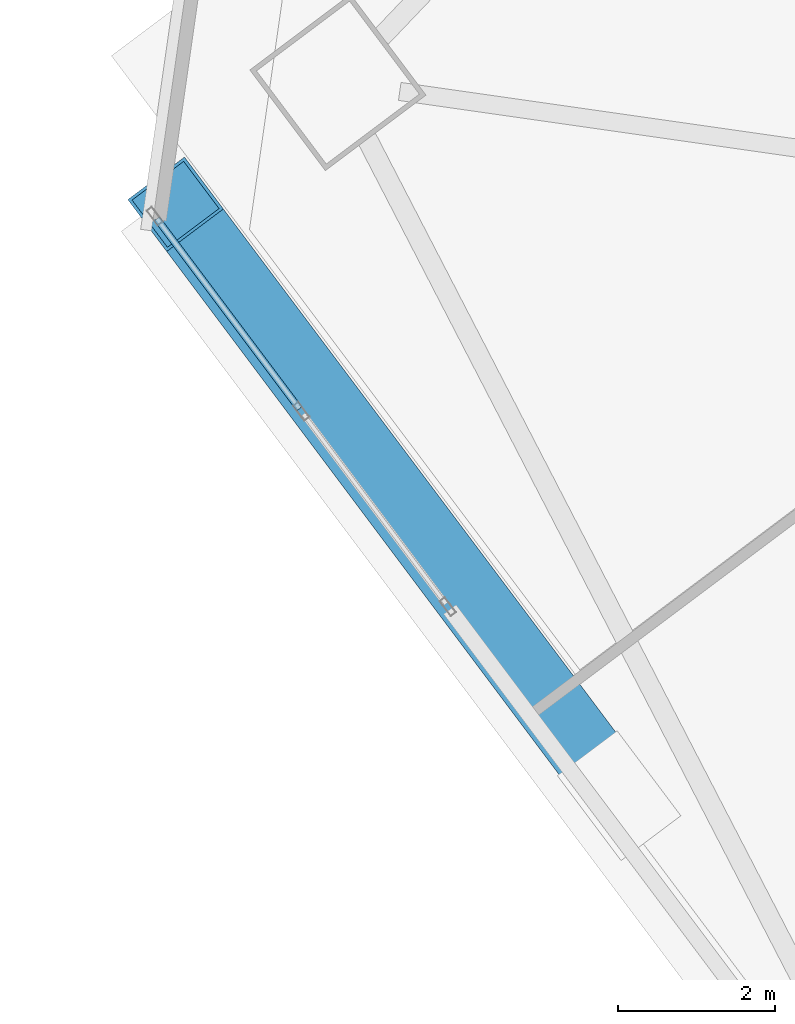
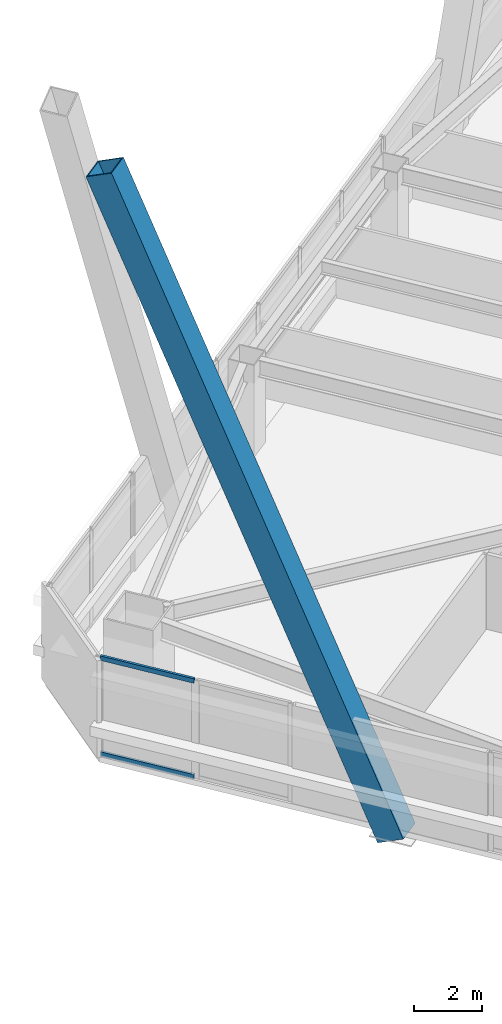
# One storey, part 37 of 75: 3 members, 1 element without a shape of its own.
"""IFC4 building model written with IfcOpenShell, lengths in metres."""

import ifcopenshell
import ifcopenshell.guid

model = None  # the IFC model being written
_history = None  # IfcOwnerHistory: only IFC2X3 demands one
_inside = {}  # id of a spatial element -> (the spatial element, [elements in it])
_under = {}  # id of a project, library or spatial element -> (it, [spatial elements below it])
_declared = {}  # id of a project -> (the project, [libraries it declares])
_typed = {}  # id of a type object -> (the type object, [elements of that type])
_made_of = {}  # id of a material, layer set ... -> (it, [elements and type objects made of it])


def new_model(schema):
    """Start an empty IFC model of exactly this schema.

    Asked for "IFC4X3", IfcOpenShell would pick the latest addendum, in which some entities
    have other attributes; the version numbers below select the first issue.
    IFC2X3 requires an IfcOwnerHistory on every rooted entity: one is made here for all.
    """
    global model, _history
    if schema == "IFC4X3":
        model = ifcopenshell.file(schema_version=(4, 3, 0, 0))
    else:
        model = ifcopenshell.file(schema=schema)
    _inside.clear()
    _under.clear()
    _declared.clear()
    _typed.clear()
    _made_of.clear()
    _history = None
    if model.schema == "IFC2X3":
        org = make("IfcOrganization", Name="unknown")
        user = make(
            "IfcPersonAndOrganization",
            ThePerson=make("IfcPerson", FamilyName="unknown"),
            TheOrganization=org,
        )
        app = make(
            "IfcApplication",
            ApplicationDeveloper=org,
            Version="unknown",
            ApplicationFullName="unknown",
            ApplicationIdentifier="unknown",
        )
        _history = make(
            "IfcOwnerHistory",
            OwningUser=user,
            OwningApplication=app,
            ChangeAction="ADDED",
            CreationDate=0,
        )
    return model


def make(cls, **values):
    """One entity of the class cls with the attributes given. An attribute that is None is left unset."""
    return model.create_entity(
        cls, **{name: value for name, value in values.items() if value is not None}
    )


def rooted(cls, **values):
    """An entity with a GlobalId (a new one), such as an element, a storey or a relation."""
    return make(cls, GlobalId=ifcopenshell.guid.new(), OwnerHistory=_history, **values)


def si_unit(unit_type, name, prefix=None):
    """IfcSIUnit, for example si_unit("LENGTHUNIT", "METRE", prefix="MILLI")."""
    return make("IfcSIUnit", UnitType=unit_type, Prefix=prefix, Name=name)


def assignment(units):
    """IfcUnitAssignment: the units of a project."""
    return None if units is None else make("IfcUnitAssignment", Units=units)


def point(xyz):
    """IfcCartesianPoint."""
    return None if xyz is None else make("IfcCartesianPoint", Coordinates=xyz)


def direction(xyz):
    """IfcDirection."""
    return None if xyz is None else make("IfcDirection", DirectionRatios=xyz)


def frame(location, z_axis=None, x_axis=None):
    """IfcAxis2Placement3D, a coordinate frame: its origin and axes. An axis left out is left unset."""
    return make(
        "IfcAxis2Placement3D",
        Location=point(location),
        Axis=direction(z_axis),
        RefDirection=direction(x_axis),
    )


def frame_2d(location, x_axis=None):
    """IfcAxis2Placement2D, a coordinate frame in the plane: its origin and x axis."""
    return make(
        "IfcAxis2Placement2D", Location=point(location), RefDirection=direction(x_axis)
    )


def origin():
    """The frame at (0, 0, 0) with its axes left unset."""
    return frame((0.0, 0.0, 0.0))


def origin_2d():
    """The frame at (0, 0) in the plane with its x axis left unset."""
    return frame_2d((0.0, 0.0))


def place(relative_to, where):
    """IfcLocalPlacement: puts the frame where relative to a parent placement (None: the world)."""
    return make(
        "IfcLocalPlacement", PlacementRelTo=relative_to, RelativePlacement=where
    )


def context(
    kind, dimensions, precision=None, world=None, true_north=None, identifier=None
):
    """IfcGeometricRepresentationContext, for example the 3D "Model" context."""
    return make(
        "IfcGeometricRepresentationContext",
        ContextIdentifier=identifier,
        ContextType=kind,
        CoordinateSpaceDimension=dimensions,
        Precision=precision,
        WorldCoordinateSystem=world,
        TrueNorth=true_north,
    )


def subcontext(parent, identifier, kind, view, scale=None):
    """IfcGeometricRepresentationSubContext, for example "Body" below "Model"."""
    return make(
        "IfcGeometricRepresentationSubContext",
        ContextIdentifier=identifier,
        ContextType=kind,
        ParentContext=parent,
        TargetScale=scale,
        TargetView=view,
    )


def project(units=None, contexts=None):
    """IfcProject with its units and contexts."""
    return rooted(
        "IfcProject",
        Name="project",
        RepresentationContexts=contexts,
        UnitsInContext=assignment(units),
    )


def spatial(cls, under=None, at=None, **own):
    """A site, building, storey or space (cls), placed at a placement, below another one or the project."""
    s = rooted(cls, ObjectPlacement=at, **own)
    if under is not None:
        _under.setdefault(under.id(), (under, []))[1].append(s)
    return s


def profile(cls, at=None, kind="AREA", **sizes):
    """A parametric profile (cls). Its sizes go by their IFC names, for example OverallWidth=200.0."""
    return make(cls, ProfileType=kind, Position=at, **sizes)


def hollow_rectangle(**sizes):
    """IfcRectangleHollowProfileDef."""
    return profile("IfcRectangleHollowProfileDef", **sizes)


def extrude(swept, where, along, depth):
    """IfcExtrudedAreaSolid: the profile swept, set in the frame where, extruded along a direction by depth."""
    return make(
        "IfcExtrudedAreaSolid",
        SweptArea=swept,
        Position=where,
        ExtrudedDirection=direction(along),
        Depth=depth,
    )


def shape(context_of_items, identifier, shape_type, items):
    """IfcShapeRepresentation: the items that make up one representation, for example the "Body"."""
    return make(
        "IfcShapeRepresentation",
        ContextOfItems=context_of_items,
        RepresentationIdentifier=identifier,
        RepresentationType=shape_type,
        Items=items,
    )


def material(Name=None, Category=None):
    """IfcMaterial."""
    return make("IfcMaterial", Name=Name, Category=Category)


def material_profile(
    of_material, cross_section, Name=None, Category=None, Priority=None
):
    """IfcMaterialProfile: a cross section and its material."""
    return make(
        "IfcMaterialProfile",
        Name=Name,
        Material=of_material,
        Profile=cross_section,
        Priority=Priority,
        Category=Category,
    )


def profile_set(profiles, Name=None, composite=None):
    """IfcMaterialProfileSet."""
    return make(
        "IfcMaterialProfileSet",
        Name=Name,
        MaterialProfiles=profiles,
        CompositeProfile=composite,
    )


def made_of(thing, what):
    """Note that an element or type object is made of a material, layer set ...; save() writes the relation."""
    if what is not None:
        _made_of.setdefault(what.id(), (what, []))[1].append(thing)
    return thing


def type_object(cls, material=None, **own):
    """A type object (cls), such as IfcWallType, which elements share."""
    return made_of(rooted(cls, **own), material)


def element(
    cls,
    number,
    at=None,
    inside=None,
    cuts=None,
    type_object=None,
    material=None,
    context=None,
    identifier="Body",
    shape_type=None,
    held_by="IfcProductDefinitionShape",
    body=None,
    shapes=None,
    **own,
):
    """One element of the class cls, such as IfcWall. Its Tag is "e" and its number.

    at: its placement. inside: the storey or other place that contains it. cuts: it is an
    opening in that element (IfcRelVoidsElement). A single representation is given by context,
    identifier, shape_type and body (its items); several are given by shapes. held_by: the class
    of the entity that holds the representations. save() writes the other relations.
    """
    e = rooted(cls, Tag="e%d" % number, ObjectPlacement=at, **own)
    if body is not None:
        shapes = [shape(context, identifier, shape_type, body)]
    if shapes is not None:
        e.Representation = make(held_by, Representations=shapes)
    if inside is not None:
        _inside.setdefault(inside.id(), (inside, []))[1].append(e)
    if cuts is not None:
        rooted(
            "IfcRelVoidsElement", RelatingBuildingElement=cuts, RelatedOpeningElement=e
        )
    if type_object is not None:
        _typed.setdefault(type_object.id(), (type_object, []))[1].append(e)
    return made_of(e, material)


def aggregate(whole, parts):
    """IfcRelAggregates: a whole, such as a stair, and the parts it consists of."""
    return rooted("IfcRelAggregates", RelatingObject=whole, RelatedObjects=parts)


def save(model, path):
    """Write the relations noted so far, then the file.

    IfcRelAggregates (storeys below a building ...), IfcRelContainedInSpatialStructure (elements
    in a storey), IfcRelDefinesByType, IfcRelAssociatesMaterial and IfcRelDeclares: one each for
    every whole, place, type object, material and project.
    """
    for whole, parts in _under.values():
        aggregate(whole, parts)
    for where, things in _inside.values():
        rooted(
            "IfcRelContainedInSpatialStructure",
            RelatedElements=things,
            RelatingStructure=where,
        )
    for kind, things in _typed.values():
        rooted("IfcRelDefinesByType", RelatedObjects=things, RelatingType=kind)
    for what, things in _made_of.values():
        rooted("IfcRelAssociatesMaterial", RelatedObjects=things, RelatingMaterial=what)
    for by, libraries in _declared.values():
        rooted("IfcRelDeclares", RelatingContext=by, RelatedDefinitions=libraries)
    model.write(path)


model = new_model("IFC4")

# Units and contexts
model_context = context("Model", 3, precision=1e-05, world=origin(), true_north=direction((0.0, 1.0)))
body_context = subcontext(model_context, "Body", "Model", "MODEL_VIEW")
ifc_project = project(units=[si_unit("LENGTHUNIT", "METRE"), si_unit("AREAUNIT", "SQUARE_METRE"), si_unit("VOLUMEUNIT", "CUBIC_METRE"), si_unit("PLANEANGLEUNIT", "RADIAN"), si_unit("MASSUNIT", "GRAM", prefix="KILO")], contexts=[model_context])

# Site, building, storey
site_placement = place(None, origin())
site = spatial("IfcSite", under=ifc_project, at=site_placement, CompositionType="ELEMENT")
building_placement = place(site_placement, origin())
building = spatial("IfcBuilding", under=site, at=building_placement, Name="Tashvorn Skyway Center", CompositionType="ELEMENT")
storey_placement = place(building_placement, frame((0.0, 0.0, 45.89990234375)))
storey = spatial("IfcBuildingStorey", under=building, at=storey_placement, Name="L11", CompositionType="ELEMENT", Elevation=45.89990234375)

# Curtain wall, members
ifc_material_1 = material(Name="Thermally broken bronze-anodized aluminium 6063-T6", Category="aluminium")
curtain_wall_type = type_object("IfcCurtainWallType", Name="CW-CW-Z1", PredefinedType="NOTDEFINED", material=ifc_material_1)
curtain_wall_placement = place(storey_placement, origin())
curtain_wall = element("IfcCurtainWall", 1, at=curtain_wall_placement, inside=storey, type_object=curtain_wall_type, Name="Tower 2 L11 West Unitised Curtain Wall Glazing Group 3", PredefinedType="NOTDEFINED")
ifc_material_profile_1 = material_profile(ifc_material_1, hollow_rectangle(XDim=0.0849609375, YDim=0.1650390625, WallThickness=0.0048828125, at=origin_2d()), Name="ALU-TRAN-85x165")
ifc_profile_set_1 = profile_set([ifc_material_profile_1], Name="Thermally broken bronze-anodized aluminium 6063-T6")
member_type_1 = type_object("IfcMemberType", Name="CWT-CW-Z1", PredefinedType="USERDEFINED", material=ifc_profile_set_1)
member_1_placement = place(storey_placement, frame((87.1904296875, 31.612548828125, 0.04248046875), z_axis=(-0.599974124791, 0.800019405753, 0.0), x_axis=(-0.800019405753, -0.599974124791, 0.0)))
member_1 = element("IfcMember", 2, at=member_1_placement, type_object=member_type_1, Name="CW-Z1 transom 2.1", ObjectType="TRANSOM", PredefinedType="USERDEFINED", context=body_context, shape_type="SweptSolid", body=[
    extrude(hollow_rectangle(XDim=0.0849609375, YDim=0.1650390625, WallThickness=0.0048828125, at=origin_2d()), origin(), (0.0, 0.0, 1.0), 3.019287109375),
])
member_2_placement = place(storey_placement, frame((87.1904296875, 31.612548828125, 3.507568359375), z_axis=(-0.599974124791, 0.800019405753, 0.0), x_axis=(-0.800019405753, -0.599974124791, 0.0)))
member_2 = element("IfcMember", 3, at=member_2_placement, type_object=member_type_1, Name="CW-Z1 transom 2.2", ObjectType="TRANSOM", PredefinedType="USERDEFINED", context=body_context, shape_type="SweptSolid", body=[
    extrude(hollow_rectangle(XDim=0.0849609375, YDim=0.1650390625, WallThickness=0.0048828125, at=origin_2d()), origin(), (0.0, 0.0, 1.0), 3.019287109375),
])
aggregate(curtain_wall, [member_1, member_2])

# Member
ifc_material_2 = material(Name="Steel ASTM A572 Grade 50", Category="steel")
ifc_material_profile_2 = material_profile(ifc_material_2, hollow_rectangle(XDim=0.89990234375, YDim=0.89990234375, WallThickness=0.0400390625, at=origin_2d()), Name="BOX900x900x40")
ifc_profile_set_2 = profile_set([ifc_material_profile_2], Name="Steel ASTM A572 Grade 50")
member_type_2 = type_object("IfcMemberType", Name="MEM-MB-900", PredefinedType="BRACE", material=ifc_profile_set_2)
member_3_placement = place(storey_placement, frame((91.256103515625, 26.69189453125, -0.449951171875), z_axis=(-0.240362581762, 0.320476506079, 0.916253588446), x_axis=(-0.799993766644, -0.600008311051, 0.0)))
element("IfcMember", 4, at=member_3_placement, inside=storey, type_object=member_type_2, Name="Tower 2 Zone 1 W Chevron Mega-Brace L2", PredefinedType="BRACE", context=body_context, shape_type="SweptSolid", body=[
    extrude(hollow_rectangle(XDim=0.89990234375, YDim=0.89990234375, WallThickness=0.0400390625, at=origin_2d()), origin(), (0.0, 0.0, 1.0), 23.465087890625),
])

save(model, "model.ifc")
